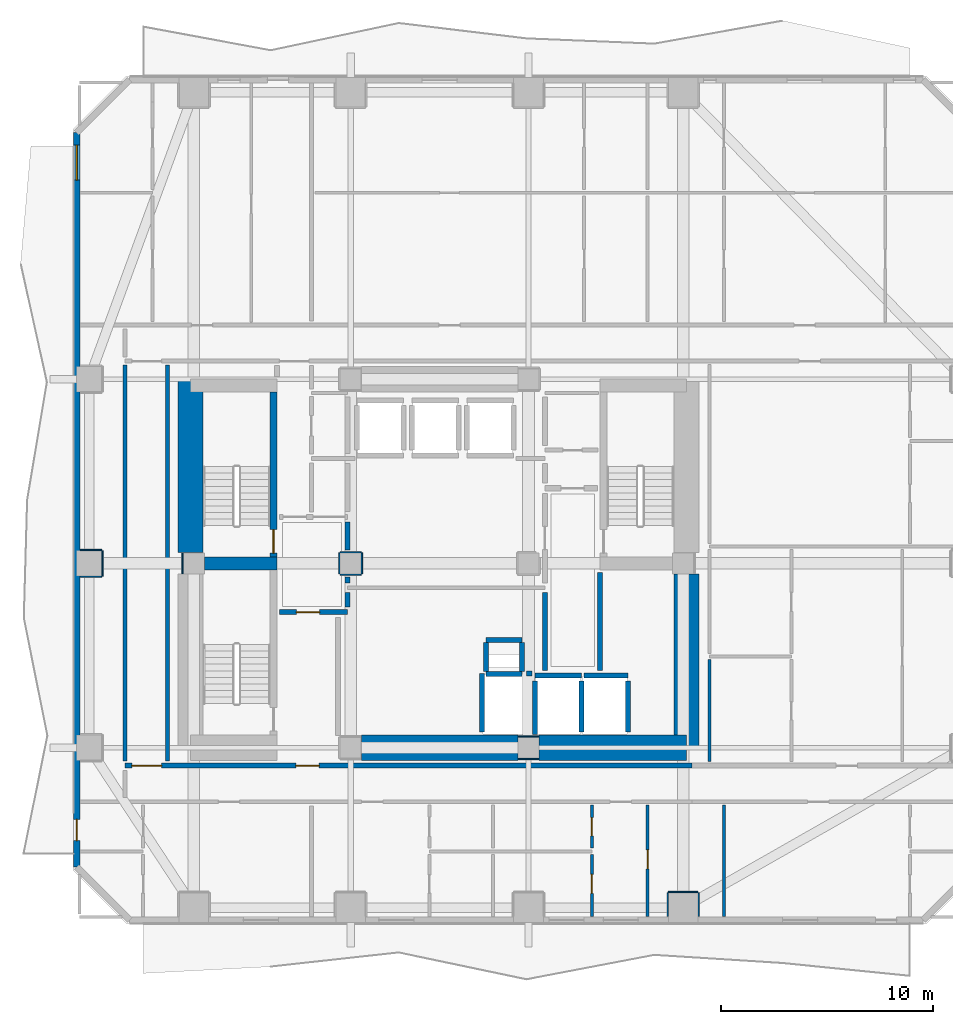
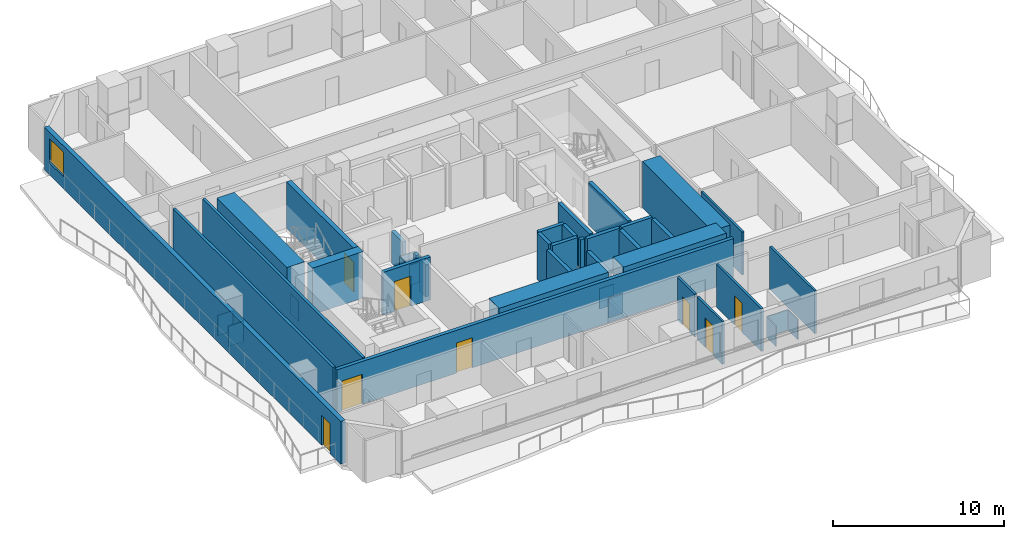
# One storey, part 3 of 11: 45 walls, 8 doors, 1 window, 9 openings.
"""IFC4 building model written with IfcOpenShell, lengths in metres."""

from ifc_helpers import new_model, si_unit, direction, frame, frame_2d, origin, place, context, subcontext, project, spatial, rectangle, extrude, material, layer, layer_set, type_object, element, fill, save


model = new_model("IFC4")

# Units and contexts
model_context = context("Model", 3, precision=1e-05, world=origin(), true_north=direction((0.0, 1.0)))
body_context = subcontext(model_context, "Body", "Model", "MODEL_VIEW")
ifc_project = project(units=[si_unit("LENGTHUNIT", "METRE"), si_unit("AREAUNIT", "SQUARE_METRE"), si_unit("VOLUMEUNIT", "CUBIC_METRE"), si_unit("PLANEANGLEUNIT", "RADIAN"), si_unit("MASSUNIT", "GRAM", prefix="KILO")], contexts=[model_context])

# Site, building, storey
site_placement = place(None, origin())
site = spatial("IfcSite", under=ifc_project, at=site_placement, CompositionType="ELEMENT")
building_placement = place(site_placement, origin())
building = spatial("IfcBuilding", under=site, at=building_placement, Name="Solanera Arch Residences", CompositionType="ELEMENT")
storey_placement = place(building_placement, frame((0.0, 0.0, 65.159912109375)))
storey = spatial("IfcBuildingStorey", under=building, at=storey_placement, Name="L18", CompositionType="ELEMENT", Elevation=65.159912109375)

# Walls
ifc_material_1 = material(Name="Fire-Rated Gypsum Stud Partition", Category="gypsum")
ifc_layer_1 = layer(ifc_material_1, 0.06005859375)
ifc_layer_set_1 = layer_set([ifc_layer_1], Name="Fire-Rated Gypsum Stud Partition")
wall_type_1 = type_object("IfcWallType", Name="Column Acoustic Furring Wall 60", PredefinedType="PARTITIONING", material=ifc_layer_set_1)
for number, where, z_axis, x_axis, name in (
    (1, (28.7099609375, 21.468017578125, 0.0), (0.0, 0.0, 1.0), (1.0, 0.0, 0.0), "L18 Column Furring 2S"),
    (2, (28.7099609375, 22.531982421875, 0.0), (0.0, 0.0, 1.0), (1.0, 0.0, 0.0), "L18 Column Furring 2N"),
    (3, (12.867919921875, 30.2099609375, 0.0), (0.0, 0.0, 1.0), (0.0, 1.0, 0.0), "L18 Column Furring 5W"),
):
    element("IfcWall", number, at=place(storey_placement, frame(where, z_axis=z_axis, x_axis=x_axis)), inside=storey, type_object=wall_type_1, Name=name, PredefinedType="PARTITIONING", context=body_context, shape_type="SweptSolid", body=[
        extrude(rectangle(XDim=0.97998046875, YDim=0.06005859375, at=frame_2d((0.489990234375, 0.0))), origin(), (0.0, 0.0, 1.0), 1.4501953125),
    ])
for number, where, z_axis, x_axis, name in (
    (4, (20.300048828125, 30.16796875, 0.0), (0.0, 0.0, 1.0), (1.0, 0.0, 0.0), "L18 Column Furring 7S"),
    (5, (20.300048828125, 31.23193359375, 0.0), (0.0, 0.0, 1.0), (1.0, 0.0, 0.0), "L18 Column Furring 7N"),
    (6, (20.26806640625, 30.199951171875, 0.0), (0.0, 0.0, 1.0), (0.0, 1.0, 0.0), "L18 Column Furring 7W"),
    (7, (21.33203125, 30.199951171875, 0.0), (0.0, 0.0, 1.0), (0.0, 1.0, 0.0), "L18 Column Furring 7E"),
):
    element("IfcWall", number, at=place(storey_placement, frame(where, z_axis=z_axis, x_axis=x_axis)), inside=storey, type_object=wall_type_1, Name=name, PredefinedType="PARTITIONING", context=body_context, shape_type="SweptSolid", body=[
        extrude(rectangle(XDim=1.0, YDim=0.06005859375, at=frame_2d((0.5, 0.0))), origin(), (0.0, 0.0, 1.0), 1.4501953125),
    ])
wall_1_placement = place(storey_placement, frame((35.800048828125, 15.181884765625, 0.0), z_axis=(0.0, 0.0, 1.0), x_axis=(1.0, 0.0, 0.0)))
element("IfcWall", 8, at=wall_1_placement, inside=storey, type_object=wall_type_1, Name="L18 Column Furring 15N", PredefinedType="PARTITIONING", context=body_context, shape_type="SweptSolid", body=[
    extrude(rectangle(XDim=1.39990234375, YDim=0.06005859375, at=frame_2d((0.699951171875, 0.0))), origin(), (0.0, 0.0, 1.0), 1.4501953125),
])
for number, where, z_axis, x_axis, name in (
    (9, (35.76806640625, 14.030029296875, 0.0), (0.0, 0.0, 1.0), (0.0, 1.0, 0.0), "L18 Column Furring 15W"),
    (10, (37.23193359375, 14.030029296875, 0.0), (0.0, 0.0, 1.0), (0.0, 1.0, 0.0), "L18 Column Furring 15E"),
):
    element("IfcWall", number, at=place(storey_placement, frame(where, z_axis=z_axis, x_axis=x_axis)), inside=storey, type_object=wall_type_1, Name=name, PredefinedType="PARTITIONING", context=body_context, shape_type="SweptSolid", body=[
        extrude(rectangle(XDim=1.119873046875, YDim=0.06005859375, at=frame_2d((0.56005859375, 0.0))), origin(), (0.0, 0.0, 1.0), 1.4501953125),
    ])
for number, where, z_axis, x_axis, name in (
    (11, (8.030029296875, 30.068115234375, 0.0), (0.0, 0.0, 1.0), (1.0, 0.0, 0.0), "L18 Column Furring 19S"),
    (12, (8.030029296875, 31.33203125, 0.0), (0.0, 0.0, 1.0), (1.0, 0.0, 0.0), "L18 Column Furring 19N"),
):
    element("IfcWall", number, at=place(storey_placement, frame(where, z_axis=z_axis, x_axis=x_axis)), inside=storey, type_object=wall_type_1, Name=name, PredefinedType="PARTITIONING", context=body_context, shape_type="SweptSolid", body=[
        extrude(rectangle(XDim=1.02001953125, YDim=0.06005859375, at=frame_2d((0.510009765625, 0.0))), origin(), (0.0, 0.0, 1.0), 1.4501953125),
    ])
wall_2_placement = place(storey_placement, frame((9.08203125, 30.10009765625, 0.0), z_axis=(0.0, 0.0, 1.0), x_axis=(0.0, 1.0, 0.0)))
element("IfcWall", 13, at=wall_2_placement, inside=storey, type_object=wall_type_1, Name="L18 Column Furring 19E", PredefinedType="PARTITIONING", context=body_context, shape_type="SweptSolid", body=[
    extrude(rectangle(XDim=1.199951171875, YDim=0.06005859375, at=frame_2d((0.60009765625, 0.0))), origin(), (0.0, 0.0, 1.0), 1.4501953125),
])
ifc_material_2 = material(Name="Concrete C55/67 (f'c = 60 MPa)", Category="concrete")
ifc_layer_2 = layer(ifc_material_2, 1.199951171875)
ifc_layer_set_2 = layer_set([ifc_layer_2], Name="Concrete C55/67 (f'c = 60 MPa)")
wall_type_2 = type_object("IfcWallType", Name="Core Shear Wall CW-1200", PredefinedType="SHEAR", material=ifc_layer_set_2)
wall_3_placement = place(storey_placement, frame((13.239990234375, 31.205078125, 0.0), z_axis=(0.0, 0.0, 1.0), x_axis=(0.0, 1.0, 0.0)))
element("IfcWall", 14, at=wall_3_placement, inside=storey, type_object=wall_type_2, Name="L18 West Core North Shear Wall", PredefinedType="SHEAR", context=body_context, shape_type="SweptSolid", body=[
    extrude(rectangle(XDim=8.19482421875, YDim=1.199951171875, at=frame_2d((4.097412109375, 0.0))), origin(), (0.0, 0.0, 1.0), 3.320068359375),
])
wall_4_placement = place(storey_placement, frame((36.659912109375, 22.0, 0.0), z_axis=(0.0, 0.0, 1.0), x_axis=(0.0, 1.0, 0.0)))
element("IfcWall", 15, at=wall_4_placement, inside=storey, type_object=wall_type_2, Name="L18 East Core South Shear Wall", PredefinedType="SHEAR", context=body_context, shape_type="SweptSolid", body=[
    extrude(rectangle(XDim=8.195068359375, YDim=1.199951171875, at=frame_2d((4.09765625, 0.0))), origin(), (0.0, 0.0, 1.0), 3.320068359375),
])
wall_5_placement = place(storey_placement, frame((29.705078125, 22.0, 0.0), z_axis=(0.0, 0.0, 1.0), x_axis=(1.0, 0.0, 0.0)))
element("IfcWall", 16, at=wall_5_placement, inside=storey, type_object=wall_type_2, Name="L18 South-East Core Shear Wall", PredefinedType="SHEAR", context=body_context, shape_type="SweptSolid", body=[
    extrude(rectangle(XDim=6.954833984375, YDim=1.199951171875, at=frame_2d((3.4775390625, 0.0))), origin(), (0.0, 0.0, 1.0), 3.320068359375),
])
wall_6_placement = place(storey_placement, frame((21.304931640625, 22.0, 0.0), z_axis=(0.0, 0.0, 1.0), x_axis=(1.0, 0.0, 0.0)))
element("IfcWall", 17, at=wall_6_placement, inside=storey, type_object=wall_type_2, Name="L18 Central South Core Shear Wall", PredefinedType="SHEAR", context=body_context, shape_type="SweptSolid", body=[
    extrude(rectangle(XDim=7.39013671875, YDim=1.199951171875, at=frame_2d((3.695068359375, 0.0))), origin(), (0.0, 0.0, 1.0), 3.320068359375),
])

# Wall, opening, door
ifc_material_3 = material(Name="Concrete C40/50 (f'c = 45 MPa)", Category="concrete")
ifc_layer_3 = layer(ifc_material_3, 0.320068359375)
ifc_layer_set_3 = layer_set([ifc_layer_3], Name="Concrete C40/50 (f'c = 45 MPa)")
wall_type_3 = type_object("IfcWallType", Name="Core Shear Wall CW-320", PredefinedType="SHEAR", material=ifc_layer_set_3)
wall_7_placement = place(storey_placement, frame((17.159912109375, 31.0, 0.0), z_axis=(0.0, 0.0, 1.0), x_axis=(0.0, 1.0, 0.0)))
wall_7 = element("IfcWall", 18, at=wall_7_placement, inside=storey, type_object=wall_type_3, Name="L18 Stair ST-T1 East Shear Wall", PredefinedType="SHEAR", context=body_context, shape_type="SweptSolid", body=[
    extrude(rectangle(XDim=7.800048828125, YDim=0.320068359375, at=frame_2d((3.89990234375, 0.0))), origin(), (0.0, 0.0, 1.0), 3.320068359375),
])
opening_1_placement = place(wall_7_placement, frame((0.18994140625, 0.0, 0.0)))
opening_1 = element("IfcOpeningElement", 19, at=opening_1_placement, cuts=wall_7, Name="Opening DF-01", PredefinedType="OPENING", context=body_context, shape_type="SweptSolid", body=[
    extrude(rectangle(XDim=1.10009765625, YDim=2.14990234375, at=frame_2d((0.550048828125, 1.074951171875))), frame((0.0, 0.169921875, 0.0), z_axis=(0.0, -1.0, 0.0), x_axis=(1.0, 0.0, 0.0)), (0.0, 0.0, 1.0), 0.3401),
])
ifc_material_4 = material(Name="Fire-Rated Architectural Hardwood", Category="wood")
door_type_1 = type_object("IfcDoorType", Name="Stair Exit Fire Door DF-01", OperationType="NOTDEFINED", PredefinedType="DOOR", material=ifc_material_4)
door_1_placement = place(opening_1_placement, origin())
door_1 = element("IfcDoor", 20, at=door_1_placement, inside=storey, type_object=door_type_1, Name="DR-L18-STAIR-ST-T1", OperationType="SINGLE_SWING_LEFT", OverallHeight=2.14990234375, OverallWidth=1.10009765625, PredefinedType="DOOR", context=body_context, shape_type="SweptSolid", body=[
    extrude(rectangle(XDim=1.10009765625, YDim=2.14990234375, at=frame_2d((0.550048828125, 1.074951171875))), frame((0.0, 0.02490234375, 0.0), z_axis=(0.0, -1.0, 0.0), x_axis=(1.0, 0.0, 0.0)), (0.0, 0.0, 1.0), 0.050048828125),
])
fill(opening_1, door_1)

# Walls
ifc_material_5 = material(Name="Concrete C40/50 (f'c = 45 MPa)", Category="concrete")
ifc_layer_4 = layer(ifc_material_5, 0.60009765625)
ifc_layer_set_4 = layer_set([ifc_layer_4], Name="Concrete C40/50 (f'c = 45 MPa)")
wall_type_4 = type_object("IfcWallType", Name="Core Shear Wall CW-600", PredefinedType="SHEAR", material=ifc_layer_set_4)
wall_8_placement = place(storey_placement, frame((13.905029296875, 30.699951171875, 0.0), z_axis=(0.0, 0.0, 1.0), x_axis=(1.0, 0.0, 0.0)))
element("IfcWall", 21, at=wall_8_placement, inside=storey, type_object=wall_type_4, Name="L18 West Stair Divider Shear Wall", PredefinedType="SHEAR", context=body_context, shape_type="SweptSolid", body=[
    extrude(rectangle(XDim=3.4150390625, YDim=0.60009765625, at=frame_2d((1.70751953125, 0.0))), origin(), (0.0, 0.0, 1.0), 3.320068359375),
])
ifc_material_6 = material(Name="Autoclaved Aerated Concrete Blockwork", Category="masonry")
ifc_layer_5 = layer(ifc_material_6, 0.179931640625)
ifc_layer_set_5 = layer_set([ifc_layer_5], Name="Autoclaved Aerated Concrete Blockwork")
wall_type_5 = type_object("IfcWallType", Name="Corridor Fire Partition 180", PredefinedType="PARTITIONING", material=ifc_layer_set_5)
for number, where, z_axis, x_axis, name in (
    (22, (10.14990234375, 21.367919921875, 0.0), (0.0, 0.0, 1.0), (0.0, 1.0, 0.0), "L18 Interior Partition V9 2"),
    (23, (12.14990234375, 21.367919921875, 0.0), (0.0, 0.0, 1.0), (0.0, 1.0, 0.0), "L18 Interior Partition V10"),
):
    element("IfcWall", number, at=place(storey_placement, frame(where, z_axis=z_axis, x_axis=x_axis)), inside=storey, type_object=wall_type_5, Name=name, PredefinedType="PARTITIONING", context=body_context, shape_type="SweptSolid", body=[
        extrude(rectangle(XDim=18.694091796875, YDim=0.179931640625, at=frame_2d((9.34716796875, 0.0))), origin(), (0.0, 0.0, 1.0), 3.06005859375),
    ])

# Wall, openings, door, window
ifc_material_7 = material(Name="Precast Concrete C35/45", Category="concrete")
ifc_layer_6 = layer(ifc_material_7, 0.300048828125)
ifc_layer_set_6 = layer_set([ifc_layer_6], Name="Precast Concrete C35/45")
wall_type_6 = type_object("IfcWallType", Name="Exterior Wall Precast Masonry-Frame 300", PredefinedType="STANDARD", material=ifc_layer_set_6)
wall_9_placement = place(storey_placement, frame((7.864990234375, 16.364990234375, 0.0), z_axis=(0.0, 0.0, 1.0), x_axis=(0.0, 1.0, 0.0)))
wall_9 = element("IfcWall", 24, at=wall_9_placement, inside=storey, type_object=wall_type_6, Name="L18 Tower Exterior Precast Masonry-Frame Wall W", PredefinedType="STANDARD", context=body_context, shape_type="SweptSolid", body=[
    extrude(rectangle(XDim=34.669921875, YDim=0.300048828125, at=frame_2d((17.3349609375, 0.0))), origin(), (0.0, 0.0, 1.0), 3.06005859375),
])
opening_2_placement = place(wall_9_placement, frame((1.2509765625, 0.0, 0.0)))
opening_2 = element("IfcOpeningElement", 25, at=opening_2_placement, cuts=wall_9, Name="Opening DB-01", PredefinedType="OPENING", context=body_context, shape_type="SweptSolid", body=[
    extrude(rectangle(XDim=1.0, YDim=2.14990234375, at=frame_2d((0.5, 1.074951171875))), frame((0.0, 0.159912109375, 0.0), z_axis=(0.0, -1.0, 0.0), x_axis=(1.0, 0.0, 0.0)), (0.0, 0.0, 1.0), 0.32),
])
opening_3_placement = place(wall_9_placement, frame((32.431884765625, 0.0, 0.85009765625)))
opening_3 = element("IfcOpeningElement", 26, at=opening_3_placement, cuts=wall_9, Name="Opening W-08", PredefinedType="OPENING", context=body_context, shape_type="SweptSolid", body=[
    extrude(rectangle(XDim=1.64990234375, YDim=1.75, at=frame_2d((0.824951171875, 0.875))), frame((0.0, 0.159912109375, 0.0), z_axis=(0.0, -1.0, 0.0), x_axis=(1.0, 0.0, 0.0)), (0.0, 0.0, 1.0), 0.32),
])
ifc_material_8 = material(Name="Anodised Aluminium Alloy 6063-T6", Category="aluminium")
door_type_2 = type_object("IfcDoorType", Name="Glazed Balcony Swing Door DB-01", OperationType="NOTDEFINED", PredefinedType="DOOR", material=ifc_material_8)
door_2_placement = place(opening_2_placement, origin())
door_2 = element("IfcDoor", 27, at=door_2_placement, inside=storey, type_object=door_type_2, Name="DR-L18-OUT-04", OperationType="SINGLE_SWING_LEFT", OverallHeight=2.14990234375, OverallWidth=1.0, PredefinedType="DOOR", context=body_context, shape_type="SweptSolid", body=[
    extrude(rectangle(XDim=1.0, YDim=2.14990234375, at=frame_2d((0.5, 1.074951171875))), frame((0.0, 0.02490234375, 0.0), z_axis=(0.0, -1.0, 0.0), x_axis=(1.0, 0.0, 0.0)), (0.0, 0.0, 1.0), 0.050048828125),
])
fill(opening_2, door_2)
ifc_material_9 = material(Name="Double Glazed Low-E Laminated Glass", Category="glass")
window_type = type_object("IfcWindowType", Name="Punched Window W-08", PartitioningType="DOUBLE_PANEL_HORIZONTAL", PredefinedType="WINDOW", material=ifc_material_9)
window_placement = place(opening_3_placement, origin())
window = element("IfcWindow", 28, at=window_placement, inside=storey, type_object=window_type, Name="L18 1805-BR1 Punched Window", OverallHeight=1.75, OverallWidth=1.64990234375, PartitioningType="SINGLE_PANEL", PredefinedType="WINDOW", context=body_context, shape_type="SweptSolid", body=[
    extrude(rectangle(XDim=1.64990234375, YDim=1.75, at=frame_2d((0.824951171875, 0.875))), frame((0.0, 0.030029296875, 0.0), z_axis=(0.0, -1.0, 0.0), x_axis=(1.0, 0.0, 0.0)), (0.0, 0.0, 1.0), 0.06005859375),
])
fill(opening_3, window)

# Walls
ifc_material_10 = material(Name="Concrete C40/50 (f'c = 45 MPa)", Category="concrete")
ifc_layer_7 = layer(ifc_material_10, 0.239990234375)
ifc_layer_set_7 = layer_set([ifc_layer_7], Name="Concrete C40/50 (f'c = 45 MPa)")
wall_type_7 = type_object("IfcWallType", Name="Ramp Bearing Shear Wall RW-240", PredefinedType="SHEAR", material=ifc_layer_set_7)
for number, where, z_axis, x_axis, name in (
    (29, (27.199951171875, 25.47998046875, 0.0), (0.0, 0.0, 1.0), (1.0, 0.0, 0.0), "L18 Core MEP Riser South Shaft Wall"),
    (30, (27.199951171875, 27.080078125, 0.0), (0.0, 0.0, 1.0), (1.0, 0.0, 0.0), "L18 Core MEP Riser North Shaft Wall"),
):
    element("IfcWall", number, at=place(storey_placement, frame(where, z_axis=z_axis, x_axis=x_axis)), inside=storey, type_object=wall_type_7, Name=name, PredefinedType="SHEAR", context=body_context, shape_type="SweptSolid", body=[
        extrude(rectangle(XDim=1.699951171875, YDim=0.239990234375, at=frame_2d((0.85009765625, 0.0))), origin(), (0.0, 0.0, 1.0), 3.320068359375),
    ])
for number, where, z_axis, x_axis, name in (
    (31, (27.199951171875, 25.60009765625, 0.0), (0.0, 0.0, 1.0), (0.0, 1.0, 0.0), "L18 Core MEP Riser West Shaft Wall"),
    (32, (28.89990234375, 25.60009765625, 0.0), (0.0, 0.0, 1.0), (0.0, 1.0, 0.0), "L18 Core MEP Riser East Shaft Wall"),
):
    element("IfcWall", number, at=place(storey_placement, frame(where, z_axis=z_axis, x_axis=x_axis)), inside=storey, type_object=wall_type_7, Name=name, PredefinedType="SHEAR", context=body_context, shape_type="SweptSolid", body=[
        extrude(rectangle(XDim=1.35986328125, YDim=0.239990234375, at=frame_2d((0.679931640625, 0.0))), origin(), (0.0, 0.0, 1.0), 3.320068359375),
    ])
ifc_material_11 = material(Name="Autoclaved Aerated Concrete Blockwork", Category="masonry")
ifc_layer_8 = layer(ifc_material_11, 0.239990234375)
ifc_layer_set_8 = layer_set([ifc_layer_8], Name="Autoclaved Aerated Concrete Blockwork")
wall_type_8 = type_object("IfcWallType", Name="Shaft Wall Fire-Rated 240", PredefinedType="PARTITIONING", material=ifc_layer_set_8)
wall_10_placement = place(storey_placement, frame((29.5, 25.39990234375, 0.0), z_axis=(0.0, 0.0, 1.0), x_axis=(1.0, 0.0, 0.0)))
element("IfcWall", 33, at=wall_10_placement, inside=storey, type_object=wall_type_8, Name="L18 Lift FFL-1 Hoistway Wall N", PredefinedType="PARTITIONING", context=body_context, shape_type="SweptSolid", body=[
    extrude(rectangle(XDim=2.199951171875, YDim=0.239990234375, at=frame_2d((1.10009765625, 0.0))), origin(), (0.0, 0.0, 1.0), 3.06005859375),
])
wall_11_placement = place(storey_placement, frame((29.5, 22.632080078125, 0.0), z_axis=(0.0, 0.0, 1.0), x_axis=(0.0, 1.0, 0.0)))
element("IfcWall", 34, at=wall_11_placement, inside=storey, type_object=wall_type_8, Name="L18 Lift FFL-1 Hoistway Wall W", PredefinedType="PARTITIONING", context=body_context, shape_type="SweptSolid", body=[
    extrude(rectangle(XDim=2.52001953125, YDim=0.239990234375, at=frame_2d((1.260009765625, 0.0))), origin(), (0.0, 0.0, 1.0), 2.295166015625),
])
wall_12_placement = place(storey_placement, frame((31.699951171875, 22.72998046875, 0.0), z_axis=(0.0, 0.0, 1.0), x_axis=(0.0, 1.0, 0.0)))
element("IfcWall", 35, at=wall_12_placement, inside=storey, type_object=wall_type_8, Name="L18 Lift FFL-1 Hoistway Wall E", PredefinedType="PARTITIONING", context=body_context, shape_type="SweptSolid", body=[
    extrude(rectangle(XDim=2.422119140625, YDim=0.239990234375, at=frame_2d((1.2109375, 0.0))), origin(), (0.0, 0.0, 1.0), 3.06005859375),
])
wall_13_placement = place(storey_placement, frame((31.827880859375, 25.39990234375, 0.0), z_axis=(0.0, 0.0, 1.0), x_axis=(1.0, 0.0, 0.0)))
element("IfcWall", 36, at=wall_13_placement, inside=storey, type_object=wall_type_8, Name="L18 Lift FFL-2 Hoistway Wall N", PredefinedType="PARTITIONING", context=body_context, shape_type="SweptSolid", body=[
    extrude(rectangle(XDim=2.072021484375, YDim=0.239990234375, at=frame_2d((1.0361328125, 0.0))), origin(), (0.0, 0.0, 1.0), 3.06005859375),
])
wall_14_placement = place(storey_placement, frame((33.89990234375, 22.72998046875, 0.0), z_axis=(0.0, 0.0, 1.0), x_axis=(0.0, 1.0, 0.0)))
element("IfcWall", 37, at=wall_14_placement, inside=storey, type_object=wall_type_8, Name="L18 Lift FFL-2 Hoistway Wall E", PredefinedType="PARTITIONING", context=body_context, shape_type="SweptSolid", body=[
    extrude(rectangle(XDim=2.422119140625, YDim=0.239990234375, at=frame_2d((1.2109375, 0.0))), origin(), (0.0, 0.0, 1.0), 3.06005859375),
])
wall_15_placement = place(storey_placement, frame((29.10302734375, 25.5, 0.0), z_axis=(0.0, 0.0, 1.0), x_axis=(1.0, 0.0, 0.0)))
element("IfcWall", 38, at=wall_15_placement, inside=storey, type_object=wall_type_8, Name="L18 Lift SVL-1 Hoistway Wall N", PredefinedType="PARTITIONING", context=body_context, shape_type="SweptSolid", body=[
    extrude(rectangle(XDim=0.26904296875, YDim=0.239990234375, at=frame_2d((0.134521484375, 0.0))), origin(), (0.0, 0.0, 1.0), 3.06005859375),
])
wall_16_placement = place(storey_placement, frame((27.0, 22.72998046875, 0.0), z_axis=(0.0, 0.0, 1.0), x_axis=(0.0, 1.0, 0.0)))
element("IfcWall", 39, at=wall_16_placement, inside=storey, type_object=wall_type_8, Name="L18 Lift SVL-1 Hoistway Wall W", PredefinedType="PARTITIONING", context=body_context, shape_type="SweptSolid", body=[
    extrude(rectangle(XDim=2.76806640625, YDim=0.239990234375, at=frame_2d((1.384033203125, 0.0))), origin(), (0.0, 0.0, 1.0), 3.06005859375),
])

# Wall, openings, doors
wall_17_placement = place(storey_placement, frame((10.14990234375, 21.14990234375, 0.0), z_axis=(0.0, 0.0, 1.0), x_axis=(1.0, 0.0, 0.0)))
wall_17 = element("IfcWall", 40, at=wall_17_placement, inside=storey, type_object=wall_type_8, Name="L18 Interior Partition H1 1", PredefinedType="PARTITIONING", context=body_context, shape_type="SweptSolid", body=[
    extrude(rectangle(XDim=26.779052734375, YDim=0.239990234375, at=frame_2d((13.3896484375, 0.0))), origin(), (0.0, 0.0, 1.0), 3.06005859375),
])
opening_4_placement = place(wall_17_placement, frame((8.06005859375, 0.0, 0.0)))
opening_4 = element("IfcOpeningElement", 41, at=opening_4_placement, cuts=wall_17, Name="Opening DF-02", PredefinedType="OPENING", context=body_context, shape_type="SweptSolid", body=[
    extrude(rectangle(XDim=1.10009765625, YDim=2.14990234375, at=frame_2d((0.550048828125, 1.074951171875))), frame((0.0, 0.1298828125, 0.0), z_axis=(0.0, -1.0, 0.0), x_axis=(1.0, 0.0, 0.0)), (0.0, 0.0, 1.0), 0.26),
])
opening_5_placement = place(wall_17_placement, frame((0.323974609375, 0.0, 0.0)))
opening_5 = element("IfcOpeningElement", 42, at=opening_5_placement, cuts=wall_17, Name="Opening DF-03", PredefinedType="OPENING", context=body_context, shape_type="SweptSolid", body=[
    extrude(rectangle(XDim=1.39990234375, YDim=2.14990234375, at=frame_2d((0.699951171875, 1.074951171875))), frame((0.0, 0.1298828125, 0.0), z_axis=(0.0, -1.0, 0.0), x_axis=(1.0, 0.0, 0.0)), (0.0, 0.0, 1.0), 0.26),
])
ifc_material_12 = material(Name="Fire-Rated Architectural Hardwood", Category="wood")
door_type_3 = type_object("IfcDoorType", Name="Corridor Smoke Door DF-03", OperationType="NOTDEFINED", PredefinedType="DOOR", material=ifc_material_12)
door_3_placement = place(opening_5_placement, origin())
door_3 = element("IfcDoor", 43, at=door_3_placement, inside=storey, type_object=door_type_3, Name="DR-L18-IN-010", OperationType="SINGLE_SWING_RIGHT", OverallHeight=2.14990234375, OverallWidth=1.39990234375, PredefinedType="DOOR", context=body_context, shape_type="SweptSolid", body=[
    extrude(rectangle(XDim=1.39990234375, YDim=2.14990234375, at=frame_2d((0.699951171875, 1.074951171875))), frame((0.0, 0.02490234375, 0.0), z_axis=(0.0, -1.0, 0.0), x_axis=(1.0, 0.0, 0.0)), (0.0, 0.0, 1.0), 0.050048828125),
])
fill(opening_5, door_3)
ifc_material_13 = material(Name="Fire-Rated Architectural Hardwood", Category="wood")
door_type_4 = type_object("IfcDoorType", Name="Firefighting Lobby Fire Door DF-02", OperationType="NOTDEFINED", PredefinedType="DOOR", material=ifc_material_13)
door_4_placement = place(opening_4_placement, origin())
door_4 = element("IfcDoor", 44, at=door_4_placement, inside=storey, type_object=door_type_4, Name="DR-L18-IN-008", OperationType="SINGLE_SWING_RIGHT", OverallHeight=2.14990234375, OverallWidth=1.10009765625, PredefinedType="DOOR", context=body_context, shape_type="SweptSolid", body=[
    extrude(rectangle(XDim=1.10009765625, YDim=2.14990234375, at=frame_2d((0.550048828125, 1.074951171875))), frame((0.0, 0.02490234375, 0.0), z_axis=(0.0, -1.0, 0.0), x_axis=(1.0, 0.0, 0.0)), (0.0, 0.0, 1.0), 0.050048828125),
])
fill(opening_4, door_4)

# Wall, opening, door
wall_18_placement = place(storey_placement, frame((17.449951171875, 28.39990234375, 0.0), z_axis=(0.0, 0.0, 1.0), x_axis=(1.0, 0.0, 0.0)))
wall_18 = element("IfcWall", 45, at=wall_18_placement, inside=storey, type_object=wall_type_8, Name="L18 Interior Partition H3", PredefinedType="PARTITIONING", context=body_context, shape_type="SweptSolid", body=[
    extrude(rectangle(XDim=3.199951171875, YDim=0.239990234375, at=frame_2d((1.60009765625, 0.0))), origin(), (0.0, 0.0, 1.0), 3.06005859375),
])
opening_6_placement = place(wall_18_placement, frame((0.783935546875, 0.0, 0.0)))
opening_6 = element("IfcOpeningElement", 46, at=opening_6_placement, cuts=wall_18, Name="Opening DF-02", PredefinedType="OPENING", context=body_context, shape_type="SweptSolid", body=[
    extrude(rectangle(XDim=1.10009765625, YDim=2.14990234375, at=frame_2d((0.550048828125, 1.074951171875))), frame((0.0, 0.1298828125, 0.0), z_axis=(0.0, -1.0, 0.0), x_axis=(1.0, 0.0, 0.0)), (0.0, 0.0, 1.0), 0.26),
])
door_5_placement = place(opening_6_placement, origin())
door_5 = element("IfcDoor", 47, at=door_5_placement, inside=storey, type_object=door_type_4, Name="DR-L18-IN-004", OperationType="SINGLE_SWING_RIGHT", OverallHeight=2.14990234375, OverallWidth=1.10009765625, PredefinedType="DOOR", context=body_context, shape_type="SweptSolid", body=[
    extrude(rectangle(XDim=1.10009765625, YDim=2.14990234375, at=frame_2d((0.550048828125, 1.074951171875))), frame((0.0, 0.02490234375, 0.0), z_axis=(0.0, -1.0, 0.0), x_axis=(1.0, 0.0, 0.0)), (0.0, 0.0, 1.0), 0.050048828125),
])
fill(opening_6, door_5)

# Walls
wall_19_placement = place(storey_placement, frame((20.64990234375, 28.64794921875, 0.0), z_axis=(0.0, 0.0, 1.0), x_axis=(0.0, 1.0, 0.0)))
element("IfcWall", 48, at=wall_19_placement, inside=storey, type_object=wall_type_8, Name="L18 Interior Partition V3 1", PredefinedType="PARTITIONING", context=body_context, shape_type="SweptSolid", body=[
    extrude(rectangle(XDim=0.68408203125, YDim=0.239990234375, at=frame_2d((0.342041015625, 0.0))), origin(), (0.0, 0.0, 1.0), 2.295166015625),
])
wall_20_placement = place(storey_placement, frame((20.64990234375, 29.76806640625, 0.0), z_axis=(0.0, 0.0, 1.0), x_axis=(0.0, 1.0, 0.0)))
element("IfcWall", 49, at=wall_20_placement, inside=storey, type_object=wall_type_8, Name="L18 Interior Partition V3 2", PredefinedType="PARTITIONING", context=body_context, shape_type="SweptSolid", body=[
    extrude(rectangle(XDim=0.300048828125, YDim=0.239990234375, at=frame_2d((0.14990234375, 0.0))), origin(), (0.0, 0.0, 1.0), 2.295166015625),
])
wall_21_placement = place(storey_placement, frame((20.64990234375, 31.33203125, 0.0), z_axis=(0.0, 0.0, 1.0), x_axis=(0.0, 1.0, 0.0)))
element("IfcWall", 50, at=wall_21_placement, inside=storey, type_object=wall_type_8, Name="L18 Interior Partition V3 3", PredefinedType="PARTITIONING", context=body_context, shape_type="SweptSolid", body=[
    extrude(rectangle(XDim=1.320068359375, YDim=0.239990234375, at=frame_2d((0.66015625, 0.0))), origin(), (0.0, 0.0, 1.0), 2.295166015625),
])
wall_22_placement = place(storey_placement, frame((29.97509765625, 25.64794921875, 0.0), z_axis=(0.0, 0.0, 1.0), x_axis=(0.0, 1.0, 0.0)))
element("IfcWall", 51, at=wall_22_placement, inside=storey, type_object=wall_type_8, Name="L18 Interior Partition V4 1", PredefinedType="PARTITIONING", context=body_context, shape_type="SweptSolid", body=[
    extrude(rectangle(XDim=3.68408203125, YDim=0.239990234375, at=frame_2d((1.842041015625, 0.0))), origin(), (0.0, 0.0, 1.0), 3.06005859375),
])
wall_23_placement = place(storey_placement, frame((32.580078125, 25.64794921875, 0.0), z_axis=(0.0, 0.0, 1.0), x_axis=(0.0, 1.0, 0.0)))
element("IfcWall", 52, at=wall_23_placement, inside=storey, type_object=wall_type_8, Name="L18 Interior Partition V5", PredefinedType="PARTITIONING", context=body_context, shape_type="SweptSolid", body=[
    extrude(rectangle(XDim=4.6220703125, YDim=0.239990234375, at=frame_2d((2.31103515625, 0.0))), origin(), (0.0, 0.0, 1.0), 3.06005859375),
])

# Wall, opening, door
ifc_material_14 = material(Name="Autoclaved Aerated Concrete Blockwork", Category="masonry")
ifc_layer_9 = layer(ifc_material_14, 0.139892578125)
ifc_layer_set_9 = layer_set([ifc_layer_9], Name="Autoclaved Aerated Concrete Blockwork")
wall_type_9 = type_object("IfcWallType", Name="Wet-Room Partition 140", PredefinedType="PARTITIONING", material=ifc_layer_set_9)
wall_24_placement = place(storey_placement, frame((32.18701171875, 14.027099609375, 0.0), z_axis=(0.0, 0.0, 1.0), x_axis=(0.0, 1.0, 0.0)))
wall_24 = element("IfcWall", 53, at=wall_24_placement, inside=storey, type_object=wall_type_9, Name="L18 Interior Partition V19 1", PredefinedType="PARTITIONING", context=body_context, shape_type="SweptSolid", body=[
    extrude(rectangle(XDim=2.931884765625, YDim=0.139892578125, at=frame_2d((1.4658203125, 0.0))), origin(), (0.0, 0.0, 1.0), 3.06005859375),
])
opening_7_placement = place(wall_24_placement, frame((1.089111328125, 0.0, 0.0)))
opening_7 = element("IfcOpeningElement", 54, at=opening_7_placement, cuts=wall_24, Name="Opening DI-03", PredefinedType="OPENING", context=body_context, shape_type="SweptSolid", body=[
    extrude(rectangle(XDim=0.89990234375, YDim=2.10009765625, at=frame_2d((0.449951171875, 1.050048828125))), frame((0.0, 0.079833984375, 0.0), z_axis=(0.0, -1.0, 0.0), x_axis=(1.0, 0.0, 0.0)), (0.0, 0.0, 1.0), 0.1599),
])
ifc_material_15 = material(Name="Fire-Rated Architectural Hardwood", Category="wood")
door_type_5 = type_object("IfcDoorType", Name="Bedroom Swing Door DI-03", OperationType="NOTDEFINED", PredefinedType="DOOR", material=ifc_material_15)
door_6_placement = place(opening_7_placement, origin())
door_6 = element("IfcDoor", 55, at=door_6_placement, inside=storey, type_object=door_type_5, Name="DR-L18-IN-023", OperationType="SINGLE_SWING_LEFT", OverallHeight=2.10009765625, OverallWidth=0.89990234375, PredefinedType="DOOR", context=body_context, shape_type="SweptSolid", body=[
    extrude(rectangle(XDim=0.89990234375, YDim=2.10009765625, at=frame_2d((0.449951171875, 1.050048828125))), frame((0.0, 0.02490234375, 0.0), z_axis=(0.0, -1.0, 0.0), x_axis=(1.0, 0.0, 0.0)), (0.0, 0.0, 1.0), 0.050048828125),
])
fill(opening_7, door_6)

wall_25_placement = place(storey_placement, frame((32.18701171875, 17.2548828125, 0.0), z_axis=(0.0, 0.0, 1.0), x_axis=(0.0, 1.0, 0.0)))
wall_25 = element("IfcWall", 56, at=wall_25_placement, inside=storey, type_object=wall_type_9, Name="L18 Interior Partition V19 2", PredefinedType="PARTITIONING", context=body_context, shape_type="SweptSolid", body=[
    extrude(rectangle(XDim=2.027099609375, YDim=0.139892578125, at=frame_2d((1.013671875, 0.0))), origin(), (0.0, 0.0, 1.0), 3.06005859375),
])
opening_8_placement = place(wall_25_placement, frame((0.5810546875, 0.0, 0.0)))
opening_8 = element("IfcOpeningElement", 57, at=opening_8_placement, cuts=wall_25, Name="Opening DI-05", PredefinedType="OPENING", context=body_context, shape_type="SweptSolid", body=[
    extrude(rectangle(XDim=0.860107421875, YDim=2.02001953125, at=frame_2d((0.43017578125, 1.010009765625))), frame((0.0, 0.079833984375, 0.0), z_axis=(0.0, -1.0, 0.0), x_axis=(1.0, 0.0, 0.0)), (0.0, 0.0, 1.0), 0.1599),
])
ifc_material_16 = material(Name="Fire-Rated Architectural Hardwood", Category="wood")
door_type_6 = type_object("IfcDoorType", Name="Bathroom Swing Door DI-05", OperationType="NOTDEFINED", PredefinedType="DOOR", material=ifc_material_16)
door_7_placement = place(opening_8_placement, origin())
door_7 = element("IfcDoor", 58, at=door_7_placement, inside=storey, type_object=door_type_6, Name="DR-L18-IN-022", OperationType="SINGLE_SWING_RIGHT", OverallHeight=2.02001953125, OverallWidth=0.860107421875, PredefinedType="DOOR", context=body_context, shape_type="SweptSolid", body=[
    extrude(rectangle(XDim=0.860107421875, YDim=2.02001953125, at=frame_2d((0.43017578125, 1.010009765625))), frame((0.0, 0.02490234375, 0.0), z_axis=(0.0, -1.0, 0.0), x_axis=(1.0, 0.0, 0.0)), (0.0, 0.0, 1.0), 0.050048828125),
])
fill(opening_8, door_7)

wall_26_placement = place(storey_placement, frame((34.820068359375, 14.027099609375, 0.0), z_axis=(0.0, 0.0, 1.0), x_axis=(0.0, 1.0, 0.0)))
wall_26 = element("IfcWall", 59, at=wall_26_placement, inside=storey, type_object=wall_type_9, Name="L18 Interior Partition V20", PredefinedType="PARTITIONING", context=body_context, shape_type="SweptSolid", body=[
    extrude(rectangle(XDim=5.2548828125, YDim=0.139892578125, at=frame_2d((2.62744140625, 0.0))), origin(), (0.0, 0.0, 1.0), 3.06005859375),
])
opening_9_placement = place(wall_26_placement, frame((2.248046875, 0.0, 0.0)))
opening_9 = element("IfcOpeningElement", 60, at=opening_9_placement, cuts=wall_26, Name="Opening DI-02", PredefinedType="OPENING", context=body_context, shape_type="SweptSolid", body=[
    extrude(rectangle(XDim=0.89990234375, YDim=2.10009765625, at=frame_2d((0.449951171875, 1.050048828125))), frame((0.0, 0.079833984375, 0.0), z_axis=(0.0, -1.0, 0.0), x_axis=(1.0, 0.0, 0.0)), (0.0, 0.0, 1.0), 0.1599),
])
ifc_material_17 = material(Name="Fire-Rated Architectural Hardwood", Category="wood")
door_type_7 = type_object("IfcDoorType", Name="Suite Room Swing Door DI-02", OperationType="NOTDEFINED", PredefinedType="DOOR", material=ifc_material_17)
door_8_placement = place(opening_9_placement, origin())
door_8 = element("IfcDoor", 61, at=door_8_placement, inside=storey, type_object=door_type_7, Name="DR-L18-IN-024", OperationType="SINGLE_SWING_RIGHT", OverallHeight=2.10009765625, OverallWidth=0.89990234375, PredefinedType="DOOR", context=body_context, shape_type="SweptSolid", body=[
    extrude(rectangle(XDim=0.89990234375, YDim=2.10009765625, at=frame_2d((0.449951171875, 1.050048828125))), frame((0.0, 0.02490234375, 0.0), z_axis=(0.0, -1.0, 0.0), x_axis=(1.0, 0.0, 0.0)), (0.0, 0.0, 1.0), 0.050048828125),
])
fill(opening_9, door_8)

# Walls
wall_27_placement = place(storey_placement, frame((37.75, 21.347900390625, 0.0), z_axis=(0.0, 0.0, 1.0), x_axis=(0.0, 1.0, 0.0)))
element("IfcWall", 62, at=wall_27_placement, inside=storey, type_object=wall_type_9, Name="L18 Interior Partition V22 1", PredefinedType="PARTITIONING", context=body_context, shape_type="SweptSolid", body=[
    extrude(rectangle(XDim=4.80419921875, YDim=0.139892578125, at=frame_2d((2.402099609375, 0.0))), origin(), (0.0, 0.0, 1.0), 3.06005859375),
])
wall_28_placement = place(storey_placement, frame((38.424072265625, 14.027099609375, 0.0), z_axis=(0.0, 0.0, 1.0), x_axis=(0.0, 1.0, 0.0)))
element("IfcWall", 63, at=wall_28_placement, inside=storey, type_object=wall_type_9, Name="L18 Interior Partition V23", PredefinedType="PARTITIONING", context=body_context, shape_type="SweptSolid", body=[
    extrude(rectangle(XDim=5.2548828125, YDim=0.139892578125, at=frame_2d((2.62744140625, 0.0))), origin(), (0.0, 0.0, 1.0), 3.06005859375),
])

save(model, "model.ifc")
